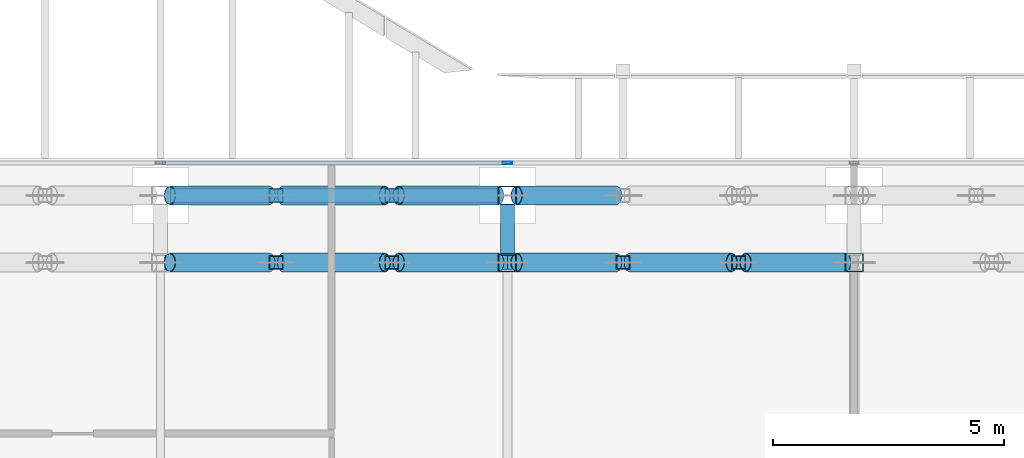
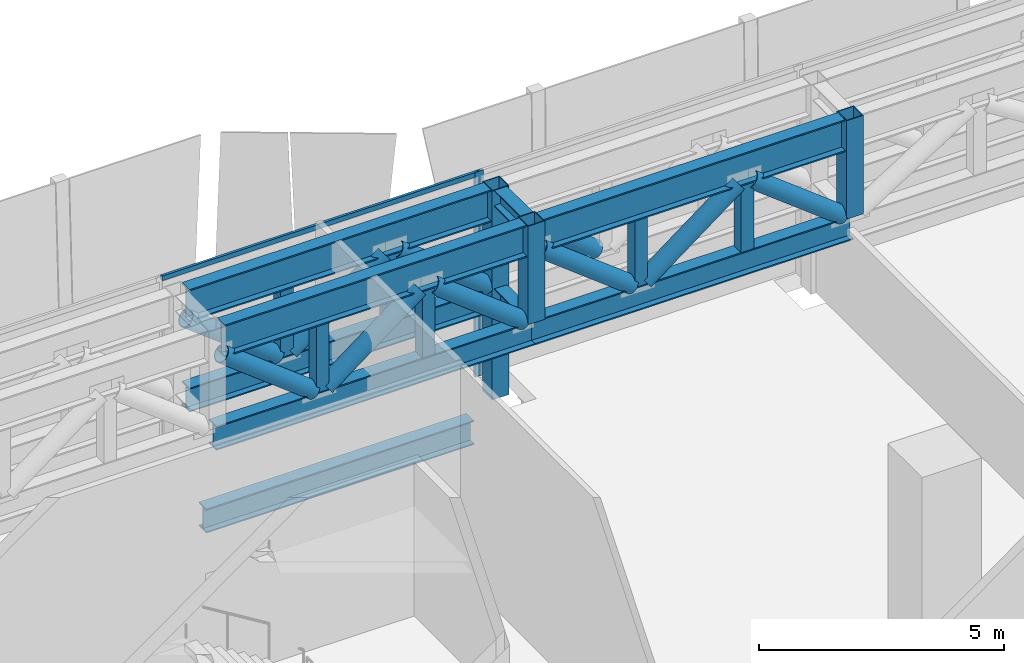
# One storey, part 25 of 39: 27 members, 3 beams, 1 element without a shape of its own.
"""IFC4 building model written with IfcOpenShell, lengths in metres."""

import ifcopenshell
import ifcopenshell.guid

model = None  # the IFC model being written
_history = None  # IfcOwnerHistory: only IFC2X3 demands one
_inside = {}  # id of a spatial element -> (the spatial element, [elements in it])
_under = {}  # id of a project, library or spatial element -> (it, [spatial elements below it])
_declared = {}  # id of a project -> (the project, [libraries it declares])
_typed = {}  # id of a type object -> (the type object, [elements of that type])
_made_of = {}  # id of a material, layer set ... -> (it, [elements and type objects made of it])


def new_model(schema):
    """Start an empty IFC model of exactly this schema.

    Asked for "IFC4X3", IfcOpenShell would pick the latest addendum, in which some entities
    have other attributes; the version numbers below select the first issue.
    IFC2X3 requires an IfcOwnerHistory on every rooted entity: one is made here for all.
    """
    global model, _history
    if schema == "IFC4X3":
        model = ifcopenshell.file(schema_version=(4, 3, 0, 0))
    else:
        model = ifcopenshell.file(schema=schema)
    _inside.clear()
    _under.clear()
    _declared.clear()
    _typed.clear()
    _made_of.clear()
    _history = None
    if model.schema == "IFC2X3":
        org = make("IfcOrganization", Name="unknown")
        user = make(
            "IfcPersonAndOrganization",
            ThePerson=make("IfcPerson", FamilyName="unknown"),
            TheOrganization=org,
        )
        app = make(
            "IfcApplication",
            ApplicationDeveloper=org,
            Version="unknown",
            ApplicationFullName="unknown",
            ApplicationIdentifier="unknown",
        )
        _history = make(
            "IfcOwnerHistory",
            OwningUser=user,
            OwningApplication=app,
            ChangeAction="ADDED",
            CreationDate=0,
        )
    return model


def make(cls, **values):
    """One entity of the class cls with the attributes given. An attribute that is None is left unset."""
    return model.create_entity(
        cls, **{name: value for name, value in values.items() if value is not None}
    )


def rooted(cls, **values):
    """An entity with a GlobalId (a new one), such as an element, a storey or a relation."""
    return make(cls, GlobalId=ifcopenshell.guid.new(), OwnerHistory=_history, **values)


def si_unit(unit_type, name, prefix=None):
    """IfcSIUnit, for example si_unit("LENGTHUNIT", "METRE", prefix="MILLI")."""
    return make("IfcSIUnit", UnitType=unit_type, Prefix=prefix, Name=name)


def assignment(units):
    """IfcUnitAssignment: the units of a project."""
    return None if units is None else make("IfcUnitAssignment", Units=units)


def point(xyz):
    """IfcCartesianPoint."""
    return None if xyz is None else make("IfcCartesianPoint", Coordinates=xyz)


def direction(xyz):
    """IfcDirection."""
    return None if xyz is None else make("IfcDirection", DirectionRatios=xyz)


def frame(location, z_axis=None, x_axis=None):
    """IfcAxis2Placement3D, a coordinate frame: its origin and axes. An axis left out is left unset."""
    return make(
        "IfcAxis2Placement3D",
        Location=point(location),
        Axis=direction(z_axis),
        RefDirection=direction(x_axis),
    )


def frame_2d(location, x_axis=None):
    """IfcAxis2Placement2D, a coordinate frame in the plane: its origin and x axis."""
    return make(
        "IfcAxis2Placement2D", Location=point(location), RefDirection=direction(x_axis)
    )


def origin():
    """The frame at (0, 0, 0) with its axes left unset."""
    return frame((0.0, 0.0, 0.0))


def origin_2d():
    """The frame at (0, 0) in the plane with its x axis left unset."""
    return frame_2d((0.0, 0.0))


def place(relative_to, where):
    """IfcLocalPlacement: puts the frame where relative to a parent placement (None: the world)."""
    return make(
        "IfcLocalPlacement", PlacementRelTo=relative_to, RelativePlacement=where
    )


def context(
    kind, dimensions, precision=None, world=None, true_north=None, identifier=None
):
    """IfcGeometricRepresentationContext, for example the 3D "Model" context."""
    return make(
        "IfcGeometricRepresentationContext",
        ContextIdentifier=identifier,
        ContextType=kind,
        CoordinateSpaceDimension=dimensions,
        Precision=precision,
        WorldCoordinateSystem=world,
        TrueNorth=true_north,
    )


def subcontext(parent, identifier, kind, view, scale=None):
    """IfcGeometricRepresentationSubContext, for example "Body" below "Model"."""
    return make(
        "IfcGeometricRepresentationSubContext",
        ContextIdentifier=identifier,
        ContextType=kind,
        ParentContext=parent,
        TargetScale=scale,
        TargetView=view,
    )


def project(units=None, contexts=None):
    """IfcProject with its units and contexts."""
    return rooted(
        "IfcProject",
        Name="project",
        RepresentationContexts=contexts,
        UnitsInContext=assignment(units),
    )


def spatial(cls, under=None, at=None, **own):
    """A site, building, storey or space (cls), placed at a placement, below another one or the project."""
    s = rooted(cls, ObjectPlacement=at, **own)
    if under is not None:
        _under.setdefault(under.id(), (under, []))[1].append(s)
    return s


def profile(cls, at=None, kind="AREA", **sizes):
    """A parametric profile (cls). Its sizes go by their IFC names, for example OverallWidth=200.0."""
    return make(cls, ProfileType=kind, Position=at, **sizes)


def hollow_rectangle(**sizes):
    """IfcRectangleHollowProfileDef."""
    return profile("IfcRectangleHollowProfileDef", **sizes)


def hollow_circle(**sizes):
    """IfcCircleHollowProfileDef."""
    return profile("IfcCircleHollowProfileDef", **sizes)


def i_section(**sizes):
    """IfcIShapeProfileDef."""
    return profile("IfcIShapeProfileDef", **sizes)


def extrude(swept, where, along, depth):
    """IfcExtrudedAreaSolid: the profile swept, set in the frame where, extruded along a direction by depth."""
    return make(
        "IfcExtrudedAreaSolid",
        SweptArea=swept,
        Position=where,
        ExtrudedDirection=direction(along),
        Depth=depth,
    )


def shape(context_of_items, identifier, shape_type, items):
    """IfcShapeRepresentation: the items that make up one representation, for example the "Body"."""
    return make(
        "IfcShapeRepresentation",
        ContextOfItems=context_of_items,
        RepresentationIdentifier=identifier,
        RepresentationType=shape_type,
        Items=items,
    )


def source(mapping_origin, context_of_items, identifier, shape_type, items):
    """IfcRepresentationMap: a shape defined once, which mapped items show again and again."""
    return make(
        "IfcRepresentationMap",
        MappingOrigin=mapping_origin,
        MappedRepresentation=shape(context_of_items, identifier, shape_type, items),
    )


def transform(
    local_origin,
    x_axis=None,
    y_axis=None,
    z_axis=None,
    scale=None,
    scale2=None,
    scale3=None,
    uniform=True,
):
    """IfcCartesianTransformationOperator3D, or its non-uniform kind. x_axis, y_axis, z_axis: its Axis1, 2, 3."""
    if uniform:
        return make(
            "IfcCartesianTransformationOperator3D",
            Axis1=direction(x_axis),
            Axis2=direction(y_axis),
            LocalOrigin=point(local_origin),
            Scale=scale,
            Axis3=direction(z_axis),
        )
    return make(
        "IfcCartesianTransformationOperator3DnonUniform",
        Axis1=direction(x_axis),
        Axis2=direction(y_axis),
        LocalOrigin=point(local_origin),
        Scale=scale,
        Axis3=direction(z_axis),
        Scale2=scale2,
        Scale3=scale3,
    )


def mapped(mapping_source, mapping_target):
    """IfcMappedItem: shows the shape of a source again, moved by a transform."""
    return make(
        "IfcMappedItem", MappingSource=mapping_source, MappingTarget=mapping_target
    )


def material(Name=None, Category=None):
    """IfcMaterial."""
    return make("IfcMaterial", Name=Name, Category=Category)


def material_profile(
    of_material, cross_section, Name=None, Category=None, Priority=None
):
    """IfcMaterialProfile: a cross section and its material."""
    return make(
        "IfcMaterialProfile",
        Name=Name,
        Material=of_material,
        Profile=cross_section,
        Priority=Priority,
        Category=Category,
    )


def profile_set(profiles, Name=None, composite=None):
    """IfcMaterialProfileSet."""
    return make(
        "IfcMaterialProfileSet",
        Name=Name,
        MaterialProfiles=profiles,
        CompositeProfile=composite,
    )


def made_of(thing, what):
    """Note that an element or type object is made of a material, layer set ...; save() writes the relation."""
    if what is not None:
        _made_of.setdefault(what.id(), (what, []))[1].append(thing)
    return thing


def type_object(cls, material=None, **own):
    """A type object (cls), such as IfcWallType, which elements share."""
    return made_of(rooted(cls, **own), material)


def element(
    cls,
    number,
    at=None,
    inside=None,
    cuts=None,
    type_object=None,
    material=None,
    context=None,
    identifier="Body",
    shape_type=None,
    held_by="IfcProductDefinitionShape",
    body=None,
    shapes=None,
    **own,
):
    """One element of the class cls, such as IfcWall. Its Tag is "e" and its number.

    at: its placement. inside: the storey or other place that contains it. cuts: it is an
    opening in that element (IfcRelVoidsElement). A single representation is given by context,
    identifier, shape_type and body (its items); several are given by shapes. held_by: the class
    of the entity that holds the representations. save() writes the other relations.
    """
    e = rooted(cls, Tag="e%d" % number, ObjectPlacement=at, **own)
    if body is not None:
        shapes = [shape(context, identifier, shape_type, body)]
    if shapes is not None:
        e.Representation = make(held_by, Representations=shapes)
    if inside is not None:
        _inside.setdefault(inside.id(), (inside, []))[1].append(e)
    if cuts is not None:
        rooted(
            "IfcRelVoidsElement", RelatingBuildingElement=cuts, RelatedOpeningElement=e
        )
    if type_object is not None:
        _typed.setdefault(type_object.id(), (type_object, []))[1].append(e)
    return made_of(e, material)


def aggregate(whole, parts):
    """IfcRelAggregates: a whole, such as a stair, and the parts it consists of."""
    return rooted("IfcRelAggregates", RelatingObject=whole, RelatedObjects=parts)


def save(model, path):
    """Write the relations noted so far, then the file.

    IfcRelAggregates (storeys below a building ...), IfcRelContainedInSpatialStructure (elements
    in a storey), IfcRelDefinesByType, IfcRelAssociatesMaterial and IfcRelDeclares: one each for
    every whole, place, type object, material and project.
    """
    for whole, parts in _under.values():
        aggregate(whole, parts)
    for where, things in _inside.values():
        rooted(
            "IfcRelContainedInSpatialStructure",
            RelatedElements=things,
            RelatingStructure=where,
        )
    for kind, things in _typed.values():
        rooted("IfcRelDefinesByType", RelatedObjects=things, RelatingType=kind)
    for what, things in _made_of.values():
        rooted("IfcRelAssociatesMaterial", RelatedObjects=things, RelatingMaterial=what)
    for by, libraries in _declared.values():
        rooted("IfcRelDeclares", RelatingContext=by, RelatedDefinitions=libraries)
    model.write(path)


model = new_model("IFC4")

# Units and contexts
model_context = context("Model", 3, precision=1e-05, world=origin(), true_north=direction((0.0, 1.0)))
body_context = subcontext(model_context, "Body", "Model", "MODEL_VIEW")
ifc_project = project(units=[si_unit("LENGTHUNIT", "METRE"), si_unit("AREAUNIT", "SQUARE_METRE"), si_unit("VOLUMEUNIT", "CUBIC_METRE"), si_unit("PLANEANGLEUNIT", "RADIAN"), si_unit("MASSUNIT", "GRAM", prefix="KILO")], contexts=[model_context])

# Site, building, storey
site_placement = place(None, origin())
site = spatial("IfcSite", under=ifc_project, at=site_placement, CompositionType="ELEMENT")
building_placement = place(site_placement, origin())
building = spatial("IfcBuilding", under=site, at=building_placement, Name="Khomas Fold Tower", CompositionType="ELEMENT")
storey_placement = place(building_placement, frame((0.0, 0.0, 96.0)))
storey = spatial("IfcBuildingStorey", under=building, at=storey_placement, Name="L20", CompositionType="ELEMENT", Elevation=96.0)

# Beam
ifc_material_1 = material(Name="Steel S355", Category="steel")
ifc_material_profile_1 = material_profile(ifc_material_1, i_section(OverallWidth=0.300048828125, OverallDepth=0.60009765625, WebThickness=0.015380859375, FlangeThickness=0.030029296875, at=origin_2d()), Name="HE 600 B")
ifc_profile_set_1 = profile_set([ifc_material_profile_1], Name="Steel S355")
beam_type_1 = type_object("IfcBeamType", Name="HE 600 B spandrel SB1", PredefinedType="SPANDREL", material=ifc_profile_set_1)
shared_shape_1 = source(origin(), body_context, "Body", "SweptSolid", [
    extrude(i_section(OverallWidth=0.300048828125, OverallDepth=0.60009765625, WebThickness=0.015380859375, FlangeThickness=0.030029296875, at=origin_2d()), origin(), (0.0, 0.0, 1.0), 6.2998046875),
])
beam_1_placement = place(storey_placement, frame((27.60009765625, 53.199951171875, -0.699951171875), z_axis=(1.0, 0.0, 0.0), x_axis=(0.0, 1.0, 0.0)))
element("IfcBeam", 1, at=beam_1_placement, inside=storey, type_object=beam_type_1, Name="SB1", PredefinedType="SPANDREL", context=body_context, shape_type="MappedRepresentation", body=[
    mapped(shared_shape_1, transform((0.0, 0.0, 0.0))),
])

# Members
ifc_material_2 = material(Name="Steel S355", Category="steel")
ifc_material_profile_2 = material_profile(ifc_material_2, i_section(OverallWidth=0.300048828125, OverallDepth=0.60009765625, WebThickness=0.015380859375, FlangeThickness=0.030029296875, at=origin_2d()), Name="HE 600 B")
ifc_profile_set_2 = profile_set([ifc_material_profile_2], Name="Steel S355")
member_type_1 = type_object("IfcMemberType", Name="BELT TRUSS 1 BOTTOM CHORD HE 600 B", PredefinedType="CHORD", material=ifc_profile_set_2)
shared_shape_2 = source(origin(), body_context, "Body", "SweptSolid", [
    extrude(i_section(OverallWidth=0.300048828125, OverallDepth=0.60009765625, WebThickness=0.015380859375, FlangeThickness=0.030029296875, at=origin_2d()), origin(), (0.0, 0.0, 1.0), 7.5),
])
for number, where, z_axis, x_axis, name in (
    (2, (42.0, 51.75, 2.449951171875), (-1.0, 0.0, 0.0), (0.0, -1.0, 0.0), "BT1-CB"),
    (3, (34.5, 51.75, 2.449951171875), (-1.0, 0.0, 0.0), (0.0, -1.0, 0.0), "BT1-CB"),
):
    element("IfcMember", number, at=place(storey_placement, frame(where, z_axis=z_axis, x_axis=x_axis)), inside=storey, type_object=member_type_1, Name=name, PredefinedType="CHORD", context=body_context, shape_type="MappedRepresentation", body=[
        mapped(shared_shape_2, transform((0.0, 0.0, 0.0))),
    ])
ifc_material_3 = material(Name="Steel S355", Category="steel")
ifc_material_profile_3 = material_profile(ifc_material_3, hollow_rectangle(XDim=0.300048828125, YDim=0.300048828125, WallThickness=0.01611328125, at=origin_2d()), Name="SHS 300x300x16")
ifc_profile_set_3 = profile_set([ifc_material_profile_3], Name="Steel S355")
member_type_2 = type_object("IfcMemberType", Name="BELT TRUSS 1 MID POST SHS 300x300x16", PredefinedType="POST", material=ifc_profile_set_3)
shared_shape_3 = source(origin(), body_context, "Body", "SweptSolid", [
    extrude(hollow_rectangle(XDim=0.300048828125, YDim=0.300048828125, WallThickness=0.01611328125, at=origin_2d()), origin(), (0.0, 0.0, 1.0), 1.64990234375),
])
for number, where, z_axis, x_axis, name in (
    (4, (32.0, 53.199951171875, 2.75), (0.0, 0.0, 1.0), (1.0, 0.0, 0.0), "BT1-M"),
    (5, (29.5, 53.199951171875, 2.75), (0.0, 0.0, 1.0), (1.0, 0.0, 0.0), "BT1-M"),
    (6, (39.5, 51.75, 2.75), (0.0, 0.0, 1.0), (1.0, 0.0, 0.0), "BT1-M"),
    (7, (37.0, 51.75, 2.75), (0.0, 0.0, 1.0), (1.0, 0.0, 0.0), "BT1-M"),
    (8, (32.0, 51.75, 2.75), (0.0, 0.0, 1.0), (1.0, 0.0, 0.0), "BT1-M"),
    (9, (29.5, 51.75, 2.75), (0.0, 0.0, 1.0), (1.0, 0.0, 0.0), "BT1-M"),
):
    element("IfcMember", number, at=place(storey_placement, frame(where, z_axis=z_axis, x_axis=x_axis)), inside=storey, type_object=member_type_2, Name=name, PredefinedType="POST", context=body_context, shape_type="MappedRepresentation", body=[
        mapped(shared_shape_3, transform((0.0, 0.0, 0.0))),
    ])
ifc_material_4 = material(Name="Steel S460M", Category="steel")
ifc_material_profile_4 = material_profile(ifc_material_4, i_section(OverallWidth=0.300048828125, OverallDepth=0.800048828125, WebThickness=0.017578125, FlangeThickness=0.032958984375, at=origin_2d()), Name="HE 800 B")
ifc_profile_set_4 = profile_set([ifc_material_profile_4], Name="Steel S460M")
member_type_3 = type_object("IfcMemberType", Name="BELT TRUSS 1 TOP CHORD HE 800 B", PredefinedType="CHORD", material=ifc_profile_set_4)
shared_shape_4 = source(origin(), body_context, "Body", "SweptSolid", [
    extrude(i_section(OverallWidth=0.300048828125, OverallDepth=0.800048828125, WebThickness=0.017578125, FlangeThickness=0.032958984375, at=origin_2d()), origin(), (0.0, 0.0, 1.0), 7.10009765625),
])
for number, where, z_axis, x_axis, name in (
    (10, (34.300048828125, 53.199951171875, 4.800048828125), (-1.0, 0.0, 0.0), (0.0, -1.0, 0.0), "BT1-CT"),
    (11, (41.800048828125, 51.75, 4.800048828125), (-1.0, 0.0, 0.0), (0.0, -1.0, 0.0), "BT1-CT"),
    (12, (34.300048828125, 51.75, 4.800048828125), (-1.0, 0.0, 0.0), (0.0, -1.0, 0.0), "BT1-CT"),
):
    element("IfcMember", number, at=place(storey_placement, frame(where, z_axis=z_axis, x_axis=x_axis)), inside=storey, type_object=member_type_3, Name=name, PredefinedType="CHORD", context=body_context, shape_type="MappedRepresentation", body=[
        mapped(shared_shape_4, transform((0.0, 0.0, 0.0))),
    ])
shared_shape_5 = source(origin(), body_context, "Body", "SweptSolid", [
    extrude(i_section(OverallWidth=0.300048828125, OverallDepth=0.60009765625, WebThickness=0.015380859375, FlangeThickness=0.030029296875, at=origin_2d()), origin(), (0.0, 0.0, 1.0), 7.10009765625),
])
member_1_placement = place(storey_placement, frame((34.300048828125, 53.199951171875, 2.449951171875), z_axis=(-1.0, 0.0, 0.0), x_axis=(0.0, -1.0, 0.0)))
element("IfcMember", 13, at=member_1_placement, inside=storey, type_object=member_type_1, Name="BT1-CB", PredefinedType="CHORD", context=body_context, shape_type="MappedRepresentation", body=[
    mapped(shared_shape_5, transform((0.0, 0.0, 0.0))),
])
ifc_material_5 = material(Name="Steel S355", Category="steel")
ifc_material_profile_5 = material_profile(ifc_material_5, hollow_circle(Radius=0.203125, WallThickness=0.01611328125, at=origin_2d()), Name="CHS 406.4x16")
ifc_profile_set_5 = profile_set([ifc_material_profile_5], Name="Steel S355")
member_type_4 = type_object("IfcMemberType", Name="BELT TRUSS 1 DIAGONAL CHS 406.4x16", PredefinedType="BRACE", material=ifc_profile_set_5)
shared_shape_6 = source(origin(), body_context, "Body", "SweptSolid", [
    extrude(hollow_circle(Radius=0.203125, WallThickness=0.01611328125, at=origin_2d()), origin(), (0.0, 0.0, 1.0), 2.71630859375),
])
for number, where, z_axis, x_axis, name in (
    (14, (36.85009765625, 53.199951171875, 2.7451171875), (-0.791563625226, 0.0, 0.611086759159), (0.0, -1.0, 0.0), "BT1-D"),
    (15, (34.300048828125, 53.199951171875, 2.7451171875), (-0.791563625226, 0.0, 0.611086759159), (0.0, -1.0, 0.0), "BT1-D"),
    (16, (29.35009765625, 53.199951171875, 2.7451171875), (-0.791563625226, 0.0, 0.611086759159), (0.0, -1.0, 0.0), "BT1-D"),
    (17, (41.800048828125, 51.75, 2.7451171875), (-0.791563625226, 0.0, 0.611086759159), (0.0, -1.0, 0.0), "BT1-D"),
    (18, (36.85009765625, 51.75, 2.7451171875), (-0.791563625226, 0.0, 0.611086759159), (0.0, -1.0, 0.0), "BT1-D"),
    (19, (34.300048828125, 51.75, 2.7451171875), (-0.791563625226, 0.0, 0.611086759159), (0.0, -1.0, 0.0), "BT1-D"),
    (20, (29.35009765625, 51.75, 2.7451171875), (-0.791563625226, 0.0, 0.611086759159), (0.0, -1.0, 0.0), "BT1-D"),
):
    element("IfcMember", number, at=place(storey_placement, frame(where, z_axis=z_axis, x_axis=x_axis)), inside=storey, type_object=member_type_4, Name=name, PredefinedType="BRACE", context=body_context, shape_type="MappedRepresentation", body=[
        mapped(shared_shape_6, transform((0.0, 0.0, 0.0))),
    ])
shared_shape_7 = source(origin(), body_context, "Body", "SweptSolid", [
    extrude(hollow_circle(Radius=0.203125, WallThickness=0.01611328125, at=origin_2d()), origin(), (0.0, 0.0, 1.0), 2.756103515625),
])
for number, where, z_axis, x_axis, name in (
    (21, (31.85009765625, 53.199951171875, 4.405029296875), (-0.798296022167, 0.0, -0.602265274602), (0.0, -1.0, 0.0), "BT1-D"),
    (22, (39.35009765625, 51.75, 4.405029296875), (-0.798296022167, 0.0, -0.602265274602), (0.0, -1.0, 0.0), "BT1-D"),
    (23, (31.85009765625, 51.75, 4.405029296875), (-0.798296022167, 0.0, -0.602265274602), (0.0, -1.0, 0.0), "BT1-D"),
):
    element("IfcMember", number, at=place(storey_placement, frame(where, z_axis=z_axis, x_axis=x_axis)), inside=storey, type_object=member_type_4, Name=name, PredefinedType="BRACE", context=body_context, shape_type="MappedRepresentation", body=[
        mapped(shared_shape_7, transform((0.0, 0.0, 0.0))),
    ])
ifc_material_6 = material(Name="Steel S460M", Category="steel")
ifc_material_profile_6 = material_profile(ifc_material_6, hollow_rectangle(XDim=0.39990234375, YDim=0.39990234375, WallThickness=0.02001953125, at=origin_2d()), Name="SHS 400x400x20")
ifc_profile_set_6 = profile_set([ifc_material_profile_6], Name="Steel S460M")
member_type_5 = type_object("IfcMemberType", Name="BELT TRUSS 1 COLUMN POST LONG SHS 400x400x20", PredefinedType="POST", material=ifc_profile_set_6)
shared_shape_8 = source(origin(), body_context, "Body", "SweptSolid", [
    extrude(hollow_rectangle(XDim=0.39990234375, YDim=0.39990234375, WallThickness=0.02001953125, at=origin_2d()), origin(), (0.0, 0.0, 1.0), 5.199951171875),
])
member_2_placement = place(storey_placement, frame((34.5, 53.199951171875, 0.0), z_axis=(0.0, 0.0, 1.0), x_axis=(1.0, 0.0, 0.0)))
element("IfcMember", 24, at=member_2_placement, inside=storey, type_object=member_type_5, Name="BT1-PL", PredefinedType="POST", context=body_context, shape_type="MappedRepresentation", body=[
    mapped(shared_shape_8, transform((0.0, 0.0, 0.0))),
])
ifc_material_7 = material(Name="Steel S460M", Category="steel")
ifc_material_profile_7 = material_profile(ifc_material_7, hollow_rectangle(XDim=0.39990234375, YDim=0.39990234375, WallThickness=0.02001953125, at=origin_2d()), Name="SHS 400x400x20")
ifc_profile_set_7 = profile_set([ifc_material_profile_7], Name="Steel S460M")
member_type_6 = type_object("IfcMemberType", Name="BELT TRUSS 1 COLUMN POST SHS 400x400x20", PredefinedType="POST", material=ifc_profile_set_7)
shared_shape_9 = source(origin(), body_context, "Body", "SweptSolid", [
    extrude(hollow_rectangle(XDim=0.39990234375, YDim=0.39990234375, WallThickness=0.02001953125, at=origin_2d()), origin(), (0.0, 0.0, 1.0), 2.449951171875),
])
for number, where, z_axis, x_axis, name in (
    (25, (42.0, 51.75, 2.75), (0.0, 0.0, 1.0), (1.0, 0.0, 0.0), "BT1-P"),
    (26, (34.5, 51.75, 2.75), (0.0, 0.0, 1.0), (1.0, 0.0, 0.0), "BT1-P"),
):
    element("IfcMember", number, at=place(storey_placement, frame(where, z_axis=z_axis, x_axis=x_axis)), inside=storey, type_object=member_type_6, Name=name, PredefinedType="POST", context=body_context, shape_type="MappedRepresentation", body=[
        mapped(shared_shape_9, transform((0.0, 0.0, 0.0))),
    ])

# Beams
ifc_material_8 = material(Name="Steel S355", Category="steel")
ifc_material_profile_8 = material_profile(ifc_material_8, i_section(OverallWidth=0.300048828125, OverallDepth=0.39990234375, WebThickness=0.013427734375, FlangeThickness=0.02392578125, at=origin_2d()), Name="HE 400 B")
ifc_profile_set_8 = profile_set([ifc_material_profile_8], Name="Steel S355")
beam_type_2 = type_object("IfcBeamType", Name="BELT TRUSS 1 TOP STRUT HE 400 B", PredefinedType="BEAM", material=ifc_profile_set_8)
shared_shape_10 = source(origin(), body_context, "Body", "SweptSolid", [
    extrude(i_section(OverallWidth=0.300048828125, OverallDepth=0.39990234375, WebThickness=0.013427734375, FlangeThickness=0.02392578125, at=origin_2d()), origin(), (0.0, 0.0, 1.0), 1.050048828125),
])
beam_2_placement = place(storey_placement, frame((34.5, 51.949951171875, 5.0), z_axis=(0.0, 1.0, 0.0), x_axis=(-1.0, 0.0, 0.0)))
element("IfcBeam", 27, at=beam_2_placement, inside=storey, type_object=beam_type_2, Name="BT1-ST", PredefinedType="BEAM", context=body_context, shape_type="MappedRepresentation", body=[
    mapped(shared_shape_10, transform((0.0, 0.0, 0.0))),
])
ifc_material_9 = material(Name="Steel S355", Category="steel")
ifc_material_profile_9 = material_profile(ifc_material_9, i_section(OverallWidth=0.300048828125, OverallDepth=0.39990234375, WebThickness=0.013427734375, FlangeThickness=0.02392578125, at=origin_2d()), Name="HE 400 B")
ifc_profile_set_9 = profile_set([ifc_material_profile_9], Name="Steel S355")
beam_type_3 = type_object("IfcBeamType", Name="BELT TRUSS 1 BOTTOM STRUT HE 400 B", PredefinedType="BEAM", material=ifc_profile_set_9)
shared_shape_11 = source(origin(), body_context, "Body", "SweptSolid", [
    extrude(i_section(OverallWidth=0.300048828125, OverallDepth=0.39990234375, WebThickness=0.013427734375, FlangeThickness=0.02392578125, at=origin_2d()), origin(), (0.0, 0.0, 1.0), 1.10009765625),
])
beam_3_placement = place(storey_placement, frame((34.5, 51.89990234375, 2.550048828125), z_axis=(0.0, 1.0, 0.0), x_axis=(-1.0, 0.0, 0.0)))
element("IfcBeam", 28, at=beam_3_placement, inside=storey, type_object=beam_type_3, Name="BT1-SB", PredefinedType="BEAM", context=body_context, shape_type="MappedRepresentation", body=[
    mapped(shared_shape_11, transform((0.0, 0.0, 0.0))),
])

# Curtain wall, members
ifc_material_10 = material(Name="Aluminium framed double glazing", Category="aluminium")
curtain_wall_type = type_object("IfcCurtainWallType", Name="SK-Plant louvre wall CW4", PredefinedType="NOTDEFINED", material=ifc_material_10)
curtain_wall_placement = place(storey_placement, origin())
curtain_wall = element("IfcCurtainWall", 29, at=curtain_wall_placement, inside=storey, type_object=curtain_wall_type, Name="CW4 run L20 06-0", PredefinedType="NOTDEFINED")
ifc_material_11 = material(Name="Aluminium", Category="aluminium")
ifc_material_profile_10 = material_profile(ifc_material_11, hollow_rectangle(XDim=0.06005859375, YDim=0.199951171875, WallThickness=0.00390625, at=origin_2d()), Name="SK-Plant louvre wall mullion CW4-M")
ifc_profile_set_10 = profile_set([ifc_material_profile_10], Name="Aluminium")
member_type_7 = type_object("IfcMemberType", Name="SK-Plant louvre wall mullion CW4-M", PredefinedType="MULLION", material=ifc_profile_set_10)
shared_shape_12 = source(origin(), body_context, "Body", "SweptSolid", [
    extrude(hollow_rectangle(XDim=0.06005859375, YDim=0.199951171875, WallThickness=0.00390625, at=origin_2d()), origin(), (0.0, 0.0, 1.0), 5.10009765625),
])
member_3_placement = place(storey_placement, frame((34.5, 53.89990234375, 0.0), z_axis=(0.0, 0.0, 1.0), x_axis=(0.0, -1.0, 0.0)))
member_3 = element("IfcMember", 30, at=member_3_placement, type_object=member_type_7, Name="CW4 mullion 4", PredefinedType="MULLION", context=body_context, shape_type="MappedRepresentation", body=[
    mapped(shared_shape_12, transform((0.0, 0.0, 0.0))),
])
ifc_material_12 = material(Name="Aluminium", Category="aluminium")
ifc_material_profile_11 = material_profile(ifc_material_12, hollow_rectangle(XDim=0.06005859375, YDim=0.1201171875, WallThickness=0.00390625, at=origin_2d()), Name="SK-Plant louvre wall transom CW4-T")
ifc_profile_set_11 = profile_set([ifc_material_profile_11], Name="Aluminium")
member_type_8 = type_object("IfcMemberType", Name="SK-Plant louvre wall transom CW4-T", PredefinedType="USERDEFINED", material=ifc_profile_set_11)
shared_shape_13 = source(origin(), body_context, "Body", "SweptSolid", [
    extrude(hollow_rectangle(XDim=0.06005859375, YDim=0.1201171875, WallThickness=0.00390625, at=origin_2d()), origin(), (0.0, 0.0, 1.0), 7.43994140625),
])
member_4_placement = place(storey_placement, frame((34.469970703125, 53.89990234375, 5.0400390625), z_axis=(-1.0, 0.0, 0.0), x_axis=(0.0, -1.0, 0.0)))
member_4 = element("IfcMember", 31, at=member_4_placement, type_object=member_type_8, Name="CW4 transom 4", ObjectType="TRANSOM", PredefinedType="USERDEFINED", context=body_context, shape_type="MappedRepresentation", body=[
    mapped(shared_shape_13, transform((0.0, 0.0, 0.0))),
])
aggregate(curtain_wall, [member_3, member_4])

save(model, "model.ifc")
